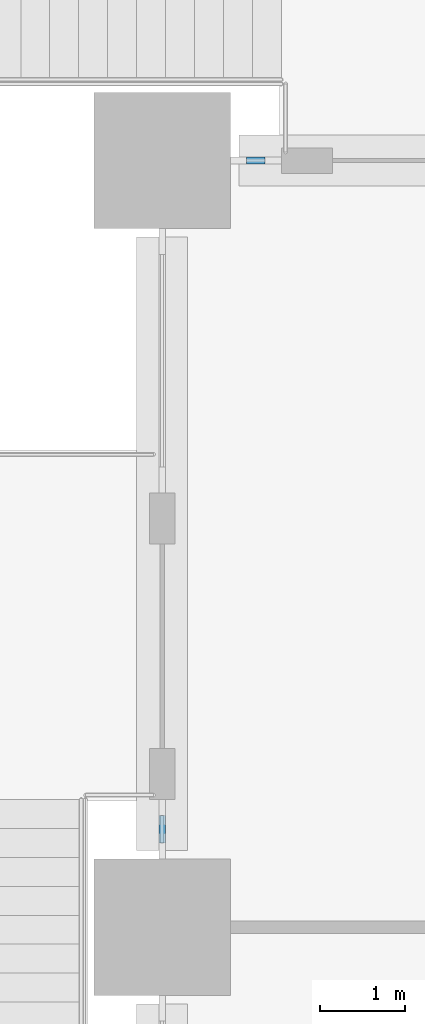
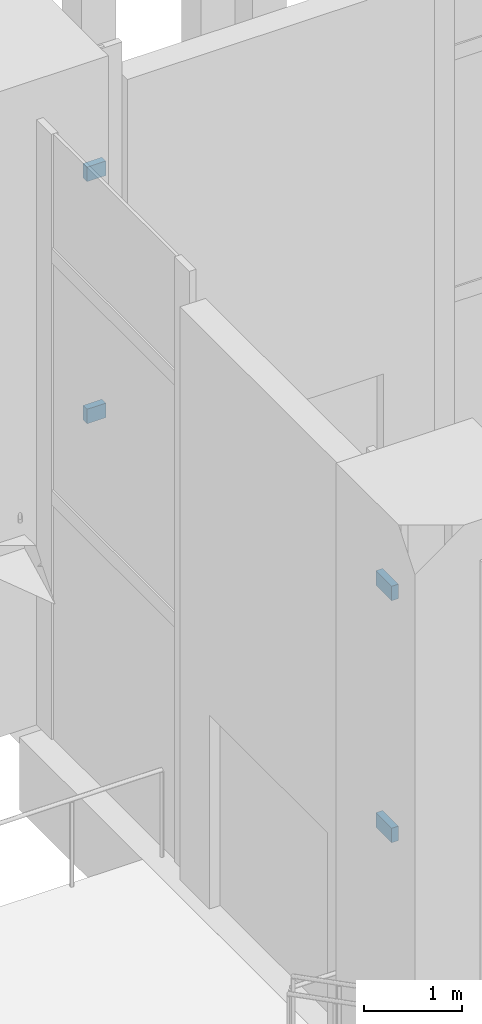
# One storey, part 14 of 52: 4 members, 2 elements without a shape of their own.
"""IFC4 building model written with IfcOpenShell, lengths in metres."""

import ifcopenshell
import ifcopenshell.guid

model = None  # the IFC model being written
_history = None  # IfcOwnerHistory: only IFC2X3 demands one
_inside = {}  # id of a spatial element -> (the spatial element, [elements in it])
_under = {}  # id of a project, library or spatial element -> (it, [spatial elements below it])
_declared = {}  # id of a project -> (the project, [libraries it declares])
_typed = {}  # id of a type object -> (the type object, [elements of that type])
_made_of = {}  # id of a material, layer set ... -> (it, [elements and type objects made of it])


def new_model(schema):
    """Start an empty IFC model of exactly this schema.

    Asked for "IFC4X3", IfcOpenShell would pick the latest addendum, in which some entities
    have other attributes; the version numbers below select the first issue.
    IFC2X3 requires an IfcOwnerHistory on every rooted entity: one is made here for all.
    """
    global model, _history
    if schema == "IFC4X3":
        model = ifcopenshell.file(schema_version=(4, 3, 0, 0))
    else:
        model = ifcopenshell.file(schema=schema)
    _inside.clear()
    _under.clear()
    _declared.clear()
    _typed.clear()
    _made_of.clear()
    _history = None
    if model.schema == "IFC2X3":
        org = make("IfcOrganization", Name="unknown")
        user = make(
            "IfcPersonAndOrganization",
            ThePerson=make("IfcPerson", FamilyName="unknown"),
            TheOrganization=org,
        )
        app = make(
            "IfcApplication",
            ApplicationDeveloper=org,
            Version="unknown",
            ApplicationFullName="unknown",
            ApplicationIdentifier="unknown",
        )
        _history = make(
            "IfcOwnerHistory",
            OwningUser=user,
            OwningApplication=app,
            ChangeAction="ADDED",
            CreationDate=0,
        )
    return model


def make(cls, **values):
    """One entity of the class cls with the attributes given. An attribute that is None is left unset."""
    return model.create_entity(
        cls, **{name: value for name, value in values.items() if value is not None}
    )


def rooted(cls, **values):
    """An entity with a GlobalId (a new one), such as an element, a storey or a relation."""
    return make(cls, GlobalId=ifcopenshell.guid.new(), OwnerHistory=_history, **values)


def si_unit(unit_type, name, prefix=None):
    """IfcSIUnit, for example si_unit("LENGTHUNIT", "METRE", prefix="MILLI")."""
    return make("IfcSIUnit", UnitType=unit_type, Prefix=prefix, Name=name)


def assignment(units):
    """IfcUnitAssignment: the units of a project."""
    return None if units is None else make("IfcUnitAssignment", Units=units)


def point(xyz):
    """IfcCartesianPoint."""
    return None if xyz is None else make("IfcCartesianPoint", Coordinates=xyz)


def direction(xyz):
    """IfcDirection."""
    return None if xyz is None else make("IfcDirection", DirectionRatios=xyz)


def frame(location, z_axis=None, x_axis=None):
    """IfcAxis2Placement3D, a coordinate frame: its origin and axes. An axis left out is left unset."""
    return make(
        "IfcAxis2Placement3D",
        Location=point(location),
        Axis=direction(z_axis),
        RefDirection=direction(x_axis),
    )


def frame_2d(location, x_axis=None):
    """IfcAxis2Placement2D, a coordinate frame in the plane: its origin and x axis."""
    return make(
        "IfcAxis2Placement2D", Location=point(location), RefDirection=direction(x_axis)
    )


def origin():
    """The frame at (0, 0, 0) with its axes left unset."""
    return frame((0.0, 0.0, 0.0))


def origin_2d():
    """The frame at (0, 0) in the plane with its x axis left unset."""
    return frame_2d((0.0, 0.0))


def place(relative_to, where):
    """IfcLocalPlacement: puts the frame where relative to a parent placement (None: the world)."""
    return make(
        "IfcLocalPlacement", PlacementRelTo=relative_to, RelativePlacement=where
    )


def context(
    kind, dimensions, precision=None, world=None, true_north=None, identifier=None
):
    """IfcGeometricRepresentationContext, for example the 3D "Model" context."""
    return make(
        "IfcGeometricRepresentationContext",
        ContextIdentifier=identifier,
        ContextType=kind,
        CoordinateSpaceDimension=dimensions,
        Precision=precision,
        WorldCoordinateSystem=world,
        TrueNorth=true_north,
    )


def subcontext(parent, identifier, kind, view, scale=None):
    """IfcGeometricRepresentationSubContext, for example "Body" below "Model"."""
    return make(
        "IfcGeometricRepresentationSubContext",
        ContextIdentifier=identifier,
        ContextType=kind,
        ParentContext=parent,
        TargetScale=scale,
        TargetView=view,
    )


def project(units=None, contexts=None):
    """IfcProject with its units and contexts."""
    return rooted(
        "IfcProject",
        Name="project",
        RepresentationContexts=contexts,
        UnitsInContext=assignment(units),
    )


def spatial(cls, under=None, at=None, **own):
    """A site, building, storey or space (cls), placed at a placement, below another one or the project."""
    s = rooted(cls, ObjectPlacement=at, **own)
    if under is not None:
        _under.setdefault(under.id(), (under, []))[1].append(s)
    return s


def profile(cls, at=None, kind="AREA", **sizes):
    """A parametric profile (cls). Its sizes go by their IFC names, for example OverallWidth=200.0."""
    return make(cls, ProfileType=kind, Position=at, **sizes)


def rectangle(**sizes):
    """IfcRectangleProfileDef."""
    return profile("IfcRectangleProfileDef", **sizes)


def extrude(swept, where, along, depth):
    """IfcExtrudedAreaSolid: the profile swept, set in the frame where, extruded along a direction by depth."""
    return make(
        "IfcExtrudedAreaSolid",
        SweptArea=swept,
        Position=where,
        ExtrudedDirection=direction(along),
        Depth=depth,
    )


def shape(context_of_items, identifier, shape_type, items):
    """IfcShapeRepresentation: the items that make up one representation, for example the "Body"."""
    return make(
        "IfcShapeRepresentation",
        ContextOfItems=context_of_items,
        RepresentationIdentifier=identifier,
        RepresentationType=shape_type,
        Items=items,
    )


def material(Name=None, Category=None):
    """IfcMaterial."""
    return make("IfcMaterial", Name=Name, Category=Category)


def material_profile(
    of_material, cross_section, Name=None, Category=None, Priority=None
):
    """IfcMaterialProfile: a cross section and its material."""
    return make(
        "IfcMaterialProfile",
        Name=Name,
        Material=of_material,
        Profile=cross_section,
        Priority=Priority,
        Category=Category,
    )


def profile_set(profiles, Name=None, composite=None):
    """IfcMaterialProfileSet."""
    return make(
        "IfcMaterialProfileSet",
        Name=Name,
        MaterialProfiles=profiles,
        CompositeProfile=composite,
    )


def made_of(thing, what):
    """Note that an element or type object is made of a material, layer set ...; save() writes the relation."""
    if what is not None:
        _made_of.setdefault(what.id(), (what, []))[1].append(thing)
    return thing


def type_object(cls, material=None, **own):
    """A type object (cls), such as IfcWallType, which elements share."""
    return made_of(rooted(cls, **own), material)


def element(
    cls,
    number,
    at=None,
    inside=None,
    cuts=None,
    type_object=None,
    material=None,
    context=None,
    identifier="Body",
    shape_type=None,
    held_by="IfcProductDefinitionShape",
    body=None,
    shapes=None,
    **own,
):
    """One element of the class cls, such as IfcWall. Its Tag is "e" and its number.

    at: its placement. inside: the storey or other place that contains it. cuts: it is an
    opening in that element (IfcRelVoidsElement). A single representation is given by context,
    identifier, shape_type and body (its items); several are given by shapes. held_by: the class
    of the entity that holds the representations. save() writes the other relations.
    """
    e = rooted(cls, Tag="e%d" % number, ObjectPlacement=at, **own)
    if body is not None:
        shapes = [shape(context, identifier, shape_type, body)]
    if shapes is not None:
        e.Representation = make(held_by, Representations=shapes)
    if inside is not None:
        _inside.setdefault(inside.id(), (inside, []))[1].append(e)
    if cuts is not None:
        rooted(
            "IfcRelVoidsElement", RelatingBuildingElement=cuts, RelatedOpeningElement=e
        )
    if type_object is not None:
        _typed.setdefault(type_object.id(), (type_object, []))[1].append(e)
    return made_of(e, material)


def aggregate(whole, parts):
    """IfcRelAggregates: a whole, such as a stair, and the parts it consists of."""
    return rooted("IfcRelAggregates", RelatingObject=whole, RelatedObjects=parts)


def save(model, path):
    """Write the relations noted so far, then the file.

    IfcRelAggregates (storeys below a building ...), IfcRelContainedInSpatialStructure (elements
    in a storey), IfcRelDefinesByType, IfcRelAssociatesMaterial and IfcRelDeclares: one each for
    every whole, place, type object, material and project.
    """
    for whole, parts in _under.values():
        aggregate(whole, parts)
    for where, things in _inside.values():
        rooted(
            "IfcRelContainedInSpatialStructure",
            RelatedElements=things,
            RelatingStructure=where,
        )
    for kind, things in _typed.values():
        rooted("IfcRelDefinesByType", RelatedObjects=things, RelatingType=kind)
    for what, things in _made_of.values():
        rooted("IfcRelAssociatesMaterial", RelatedObjects=things, RelatingMaterial=what)
    for by, libraries in _declared.values():
        rooted("IfcRelDeclares", RelatingContext=by, RelatedDefinitions=libraries)
    model.write(path)


model = new_model("IFC4")

# Units and contexts
model_context = context("Model", 3, precision=1e-05, world=origin(), true_north=direction((0.0, 1.0)))
body_context = subcontext(model_context, "Body", "Model", "MODEL_VIEW")
ifc_project = project(units=[si_unit("LENGTHUNIT", "METRE"), si_unit("AREAUNIT", "SQUARE_METRE"), si_unit("VOLUMEUNIT", "CUBIC_METRE"), si_unit("PLANEANGLEUNIT", "RADIAN"), si_unit("MASSUNIT", "GRAM", prefix="KILO")], contexts=[model_context])

# Site, building, storey
site_placement = place(None, origin())
site = spatial("IfcSite", under=ifc_project, at=site_placement, CompositionType="ELEMENT")
building_placement = place(site_placement, origin())
building = spatial("IfcBuilding", under=site, at=building_placement, Name="Candeia Pilgrim Tower and Theatre", CompositionType="ELEMENT")
storey_placement = place(building_placement, frame((0.0, 0.0, 9.0)))
storey = spatial("IfcBuildingStorey", under=building, at=storey_placement, Name="L01", CompositionType="ELEMENT", Elevation=9.0)

# Curtain wall, members
ifc_material_1 = material(Name="Aluminium framed podium glazing", Category="aluminium")
curtain_wall_type = type_object("IfcCurtainWallType", Name="CW-P curtain wall", PredefinedType="NOTDEFINED", material=ifc_material_1)
curtain_wall_1_placement = place(storey_placement, origin())
curtain_wall_1 = element("IfcCurtainWall", 1, at=curtain_wall_1_placement, inside=storey, type_object=curtain_wall_type, Name="Curtain wall CW-P L01.060", PredefinedType="NOTDEFINED")
ifc_material_2 = material(Name="Anodised aluminium", Category="aluminium")
ifc_material_profile = material_profile(ifc_material_2, rectangle(XDim=0.080078125, YDim=0.179931640625, at=origin_2d()))
ifc_profile_set = profile_set([ifc_material_profile], Name="Anodised aluminium")
member_type = type_object("IfcMemberType", Name="CW-P transom 80x180", PredefinedType="USERDEFINED", material=ifc_profile_set)
member_1_placement = place(storey_placement, frame((58.800048828125, 136.7900390625, 3.0), z_axis=(0.0, 1.0, 0.0), x_axis=(-1.0, 0.0, 0.0)))
member_1 = element("IfcMember", 2, at=member_1_placement, type_object=member_type, Name="CW-P transom 1.1", ObjectType="TRANSOM", PredefinedType="USERDEFINED", context=body_context, shape_type="SweptSolid", body=[
    extrude(rectangle(XDim=0.080078125, YDim=0.179931640625, at=origin_2d()), origin(), (0.0, 0.0, 1.0), 0.320068359375),
])
member_2_placement = place(storey_placement, frame((58.800048828125, 136.7900390625, 6.0), z_axis=(0.0, 1.0, 0.0), x_axis=(-1.0, 0.0, 0.0)))
member_2 = element("IfcMember", 3, at=member_2_placement, type_object=member_type, Name="CW-P transom 1.2", ObjectType="TRANSOM", PredefinedType="USERDEFINED", context=body_context, shape_type="SweptSolid", body=[
    extrude(rectangle(XDim=0.080078125, YDim=0.179931640625, at=origin_2d()), origin(), (0.0, 0.0, 1.0), 0.320068359375),
])
aggregate(curtain_wall_1, [member_1, member_2])

curtain_wall_2_placement = place(storey_placement, origin())
curtain_wall_2 = element("IfcCurtainWall", 4, at=curtain_wall_2_placement, inside=storey, type_object=curtain_wall_type, Name="Curtain wall CW-P L01.100", PredefinedType="NOTDEFINED")
member_3_placement = place(storey_placement, frame((59.7900390625, 144.800048828125, 3.0), z_axis=(1.0, 0.0, 0.0), x_axis=(0.0, 1.0, 0.0)))
member_3 = element("IfcMember", 5, at=member_3_placement, type_object=member_type, Name="CW-P transom 1.1", ObjectType="TRANSOM", PredefinedType="USERDEFINED", context=body_context, shape_type="SweptSolid", body=[
    extrude(rectangle(XDim=0.080078125, YDim=0.179931640625, at=origin_2d()), origin(), (0.0, 0.0, 1.0), 0.219970703125),
])
member_4_placement = place(storey_placement, frame((59.7900390625, 144.800048828125, 6.0), z_axis=(1.0, 0.0, 0.0), x_axis=(0.0, 1.0, 0.0)))
member_4 = element("IfcMember", 6, at=member_4_placement, type_object=member_type, Name="CW-P transom 1.2", ObjectType="TRANSOM", PredefinedType="USERDEFINED", context=body_context, shape_type="SweptSolid", body=[
    extrude(rectangle(XDim=0.080078125, YDim=0.179931640625, at=origin_2d()), origin(), (0.0, 0.0, 1.0), 0.219970703125),
])
aggregate(curtain_wall_2, [member_3, member_4])

save(model, "model.ifc")
